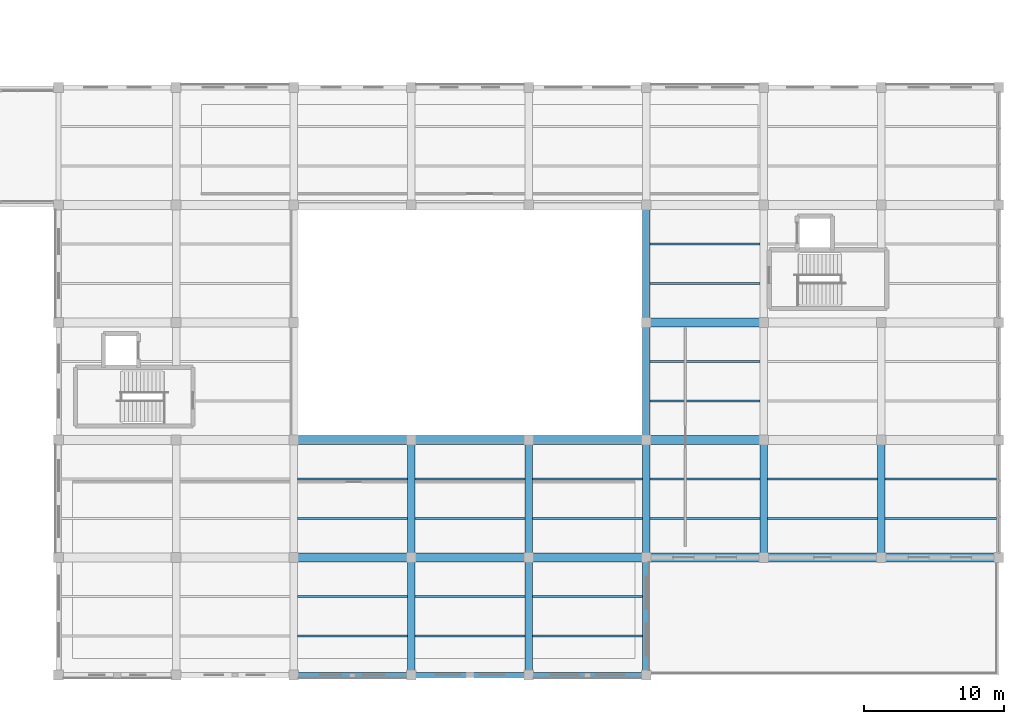
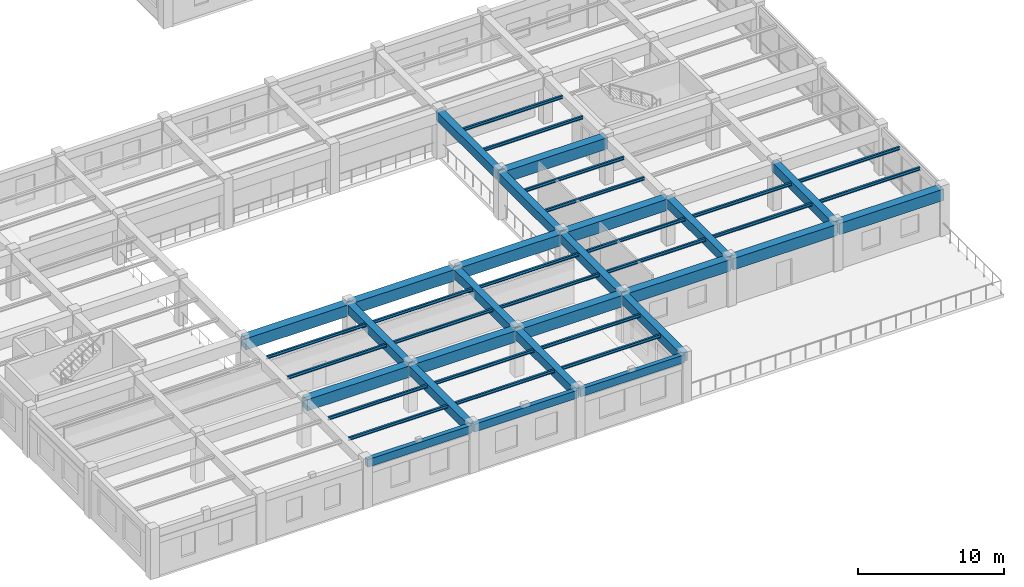
# One storey, part 85 of 152: 46 beams.
"""IFC4 building model written with IfcOpenShell, lengths in metres."""

from ifc_helpers import new_model, si_unit, direction, frame, origin, origin_2d, place, context, subcontext, project, spatial, rectangle, i_section, extrude, material, material_profile, profile_set, type_object, element, save


model = new_model("IFC4")

# Units and contexts
model_context = context("Model", 3, precision=1e-05, world=origin(), true_north=direction((0.0, 1.0)))
body_context = subcontext(model_context, "Body", "Model", "MODEL_VIEW")
ifc_project = project(units=[si_unit("LENGTHUNIT", "METRE"), si_unit("AREAUNIT", "SQUARE_METRE"), si_unit("VOLUMEUNIT", "CUBIC_METRE"), si_unit("PLANEANGLEUNIT", "RADIAN"), si_unit("MASSUNIT", "GRAM", prefix="KILO"), si_unit("THERMODYNAMICTEMPERATUREUNIT", "KELVIN"), si_unit("POWERUNIT", "WATT")], contexts=[model_context])

# Site, building, storey
site_placement = place(None, origin())
site = spatial("IfcSite", under=ifc_project, at=site_placement, CompositionType="ELEMENT")
building_placement = place(site_placement, origin())
building = spatial("IfcBuilding", under=site, at=building_placement, Name="Darbajah Civic Hall", CompositionType="ELEMENT")
storey_placement = place(building_placement, frame((0.0, 0.0, 5.39990234375)))
storey = spatial("IfcBuildingStorey", under=building, at=storey_placement, Name="L01", CompositionType="ELEMENT", Elevation=5.39990234375)

# Beams
ifc_material_1 = material(Name="Concrete C45/55", Category="concrete")
ifc_material_profile_1 = material_profile(ifc_material_1, rectangle(XDim=0.550048828125, YDim=0.75, at=origin_2d()), Name="RC BEAM 550x750")
ifc_profile_set_1 = profile_set([ifc_material_profile_1], Name="Concrete C45/55")
beam_type_1 = type_object("IfcBeamType", Name="RC BEAM 550x750", PredefinedType="BEAM", material=ifc_profile_set_1)
for number, where, z_axis, x_axis, name in (
    (1, (136.199951171875, 0.080078125, 3.525146484375), (0.0, 1.0, 0.0), (-1.0, 0.0, 0.0), "L01 beam BM-5575"),
    (2, (136.199951171875, 8.47998046875, 3.525146484375), (0.0, 1.0, 0.0), (-1.0, 0.0, 0.0), "L01 beam BM-5575"),
    (3, (144.60009765625, 0.080078125, 3.525146484375), (0.0, 1.0, 0.0), (-1.0, 0.0, 0.0), "L01 beam BM-5575"),
    (4, (144.60009765625, 8.47998046875, 3.525146484375), (0.0, 1.0, 0.0), (-1.0, 0.0, 0.0), "L01 beam BM-5575"),
    (5, (153.0, 0.080078125, 3.525146484375), (0.0, 1.0, 0.0), (-1.0, 0.0, 0.0), "L01 beam BM-5575"),
    (6, (153.0, 8.47998046875, 3.525146484375), (0.0, 1.0, 0.0), (-1.0, 0.0, 0.0), "L01 beam BM-5575"),
):
    element("IfcBeam", number, at=place(storey_placement, frame(where, z_axis=z_axis, x_axis=x_axis)), inside=storey, type_object=beam_type_1, Name=name, PredefinedType="BEAM", context=body_context, shape_type="SweptSolid", body=[
        extrude(rectangle(XDim=0.550048828125, YDim=0.75, at=origin_2d()), origin(), (0.0, 0.0, 1.0), 8.239990234375),
    ])
beam_1_placement = place(storey_placement, frame((153.0, 16.8798828125, 3.525146484375), z_axis=(0.0, 1.0, 0.0), x_axis=(-1.0, 0.0, 0.0)))
element("IfcBeam", 7, at=beam_1_placement, inside=storey, type_object=beam_type_1, Name="L01 beam BM-5575", PredefinedType="BEAM", context=body_context, shape_type="SweptSolid", body=[
    extrude(rectangle(XDim=0.550048828125, YDim=0.75, at=origin_2d()), origin(), (0.0, 0.0, 1.0), 8.240234375),
])
for number, where, z_axis, x_axis, name in (
    (8, (153.0, 25.280029296875, 3.525146484375), (0.0, 1.0, 0.0), (-1.0, 0.0, 0.0), "L01 beam BM-5575"),
    (9, (161.39990234375, 8.47998046875, 3.525146484375), (0.0, 1.0, 0.0), (-1.0, 0.0, 0.0), "L01 beam BM-5575"),
    (10, (169.800048828125, 8.47998046875, 3.525146484375), (0.0, 1.0, 0.0), (-1.0, 0.0, 0.0), "L01 beam BM-5575"),
):
    element("IfcBeam", number, at=place(storey_placement, frame(where, z_axis=z_axis, x_axis=x_axis)), inside=storey, type_object=beam_type_1, Name=name, PredefinedType="BEAM", context=body_context, shape_type="SweptSolid", body=[
        extrude(rectangle(XDim=0.550048828125, YDim=0.75, at=origin_2d()), origin(), (0.0, 0.0, 1.0), 8.239990234375),
    ])
ifc_material_2 = material(Name="Concrete C50/60", Category="concrete")
ifc_material_profile_2 = material_profile(ifc_material_2, rectangle(XDim=0.64990234375, YDim=0.949951171875, at=origin_2d()), Name="RC GIRDER 650x950")
ifc_profile_set_2 = profile_set([ifc_material_profile_2], Name="Concrete C50/60")
beam_type_2 = type_object("IfcBeamType", Name="RC GIRDER 650x950", PredefinedType="BEAM", material=ifc_profile_set_2)
beam_2_placement = place(storey_placement, frame((127.8798828125, 8.39990234375, 3.425048828125), z_axis=(1.0, 0.0, 0.0), x_axis=(0.0, 1.0, 0.0)))
element("IfcBeam", 11, at=beam_2_placement, inside=storey, type_object=beam_type_2, Name="L01 beam BG-6595", PredefinedType="BEAM", context=body_context, shape_type="SweptSolid", body=[
    extrude(rectangle(XDim=0.64990234375, YDim=0.949951171875, at=origin_2d()), origin(), (0.0, 0.0, 1.0), 8.240234375),
])
for number, where, z_axis, x_axis, name in (
    (12, (136.280029296875, 8.39990234375, 3.425048828125), (1.0, 0.0, 0.0), (0.0, 1.0, 0.0), "L01 beam BG-6595"),
    (13, (144.679931640625, 8.39990234375, 3.425048828125), (1.0, 0.0, 0.0), (0.0, 1.0, 0.0), "L01 beam BG-6595"),
    (14, (153.080078125, 8.39990234375, 3.425048828125), (1.0, 0.0, 0.0), (0.0, 1.0, 0.0), "L01 beam BG-6595"),
    (15, (161.47998046875, 8.39990234375, 3.425048828125), (1.0, 0.0, 0.0), (0.0, 1.0, 0.0), "L01 beam BG-6595"),
):
    element("IfcBeam", number, at=place(storey_placement, frame(where, z_axis=z_axis, x_axis=x_axis)), inside=storey, type_object=beam_type_2, Name=name, PredefinedType="BEAM", context=body_context, shape_type="SweptSolid", body=[
        extrude(rectangle(XDim=0.64990234375, YDim=0.949951171875, at=origin_2d()), origin(), (0.0, 0.0, 1.0), 8.239990234375),
    ])
for number, where, z_axis, x_axis, name in (
    (16, (169.8798828125, 8.39990234375, 3.425048828125), (1.0, 0.0, 0.0), (0.0, 1.0, 0.0), "L01 beam BG-6595"),
    (17, (127.8798828125, 16.800048828125, 3.425048828125), (1.0, 0.0, 0.0), (0.0, 1.0, 0.0), "L01 beam BG-6595"),
):
    element("IfcBeam", number, at=place(storey_placement, frame(where, z_axis=z_axis, x_axis=x_axis)), inside=storey, type_object=beam_type_2, Name=name, PredefinedType="BEAM", context=body_context, shape_type="SweptSolid", body=[
        extrude(rectangle(XDim=0.64990234375, YDim=0.949951171875, at=origin_2d()), origin(), (0.0, 0.0, 1.0), 8.240234375),
    ])
for number, where, z_axis, x_axis, name in (
    (18, (136.280029296875, 16.800048828125, 3.425048828125), (1.0, 0.0, 0.0), (0.0, 1.0, 0.0), "L01 beam BG-6595"),
    (19, (144.679931640625, 16.800048828125, 3.425048828125), (1.0, 0.0, 0.0), (0.0, 1.0, 0.0), "L01 beam BG-6595"),
    (20, (153.080078125, 16.800048828125, 3.425048828125), (1.0, 0.0, 0.0), (0.0, 1.0, 0.0), "L01 beam BG-6595"),
    (21, (153.080078125, 25.199951171875, 3.425048828125), (1.0, 0.0, 0.0), (0.0, 1.0, 0.0), "L01 beam BG-6595"),
):
    element("IfcBeam", number, at=place(storey_placement, frame(where, z_axis=z_axis, x_axis=x_axis)), inside=storey, type_object=beam_type_2, Name=name, PredefinedType="BEAM", context=body_context, shape_type="SweptSolid", body=[
        extrude(rectangle(XDim=0.64990234375, YDim=0.949951171875, at=origin_2d()), origin(), (0.0, 0.0, 1.0), 8.239990234375),
    ])
ifc_material_profile_3 = material_profile(ifc_material_1, rectangle(XDim=0.35009765625, YDim=0.64990234375, at=origin_2d()), Name="RC SPANDREL 350x650")
ifc_profile_set_3 = profile_set([ifc_material_profile_3], Name="Concrete C45/55")
beam_type_3 = type_object("IfcBeamType", Name="RC SPANDREL 350x650", PredefinedType="SPANDREL", material=ifc_profile_set_3)
beam_3_placement = place(storey_placement, frame((127.8798828125, 0.0, 3.5751953125), z_axis=(1.0, 0.0, 0.0), x_axis=(0.0, 1.0, 0.0)))
element("IfcBeam", 22, at=beam_3_placement, inside=storey, type_object=beam_type_3, Name="L01 beam SP-3565", PredefinedType="SPANDREL", context=body_context, shape_type="SweptSolid", body=[
    extrude(rectangle(XDim=0.35009765625, YDim=0.64990234375, at=origin_2d()), origin(), (0.0, 0.0, 1.0), 8.240234375),
])
for number, where, z_axis, x_axis, name in (
    (23, (136.280029296875, 0.0, 3.5751953125), (1.0, 0.0, 0.0), (0.0, 1.0, 0.0), "L01 beam SP-3565"),
    (24, (144.679931640625, 0.0, 3.5751953125), (1.0, 0.0, 0.0), (0.0, 1.0, 0.0), "L01 beam SP-3565"),
):
    element("IfcBeam", number, at=place(storey_placement, frame(where, z_axis=z_axis, x_axis=x_axis)), inside=storey, type_object=beam_type_3, Name=name, PredefinedType="SPANDREL", context=body_context, shape_type="SweptSolid", body=[
        extrude(rectangle(XDim=0.35009765625, YDim=0.64990234375, at=origin_2d()), origin(), (0.0, 0.0, 1.0), 8.239990234375),
    ])
ifc_material_3 = material(Name="Steel S355JR", Category="steel")
ifc_material_profile_4 = material_profile(ifc_material_3, i_section(OverallWidth=0.146484375, OverallDepth=0.256103515625, WebThickness=0.00634765625, FlangeThickness=0.010986328125, FilletRadius=0.007568359375, at=origin_2d()), Name="UB 254x146x37")
ifc_profile_set_4 = profile_set([ifc_material_profile_4], Name="Steel S355JR")
beam_type_4 = type_object("IfcBeamType", Name="UB 254x146x37", PredefinedType="JOIST", material=ifc_profile_set_4)
for number, where, z_axis, x_axis, name in (
    (25, (128.074951171875, 2.800048828125, 3.772216796875), (1.0, 0.0, 0.0), (0.0, 1.0, 0.0), "L01 beam SJ-254"),
    (26, (128.074951171875, 5.60009765625, 3.772216796875), (1.0, 0.0, 0.0), (0.0, 1.0, 0.0), "L01 beam SJ-254"),
    (27, (128.074951171875, 11.199951171875, 3.772216796875), (1.0, 0.0, 0.0), (0.0, 1.0, 0.0), "L01 beam SJ-254"),
    (28, (128.074951171875, 14.0, 3.772216796875), (1.0, 0.0, 0.0), (0.0, 1.0, 0.0), "L01 beam SJ-254"),
):
    element("IfcBeam", number, at=place(storey_placement, frame(where, z_axis=z_axis, x_axis=x_axis)), inside=storey, type_object=beam_type_4, Name=name, PredefinedType="JOIST", context=body_context, shape_type="SweptSolid", body=[
        extrude(i_section(OverallWidth=0.146484375, OverallDepth=0.256103515625, WebThickness=0.00634765625, FlangeThickness=0.010986328125, FilletRadius=0.007568359375, at=origin_2d()), origin(), (0.0, 0.0, 1.0), 7.85009765625),
    ])
for number, where, z_axis, x_axis, name in (
    (29, (136.47509765625, 2.800048828125, 3.772216796875), (1.0, 0.0, 0.0), (0.0, 1.0, 0.0), "L01 beam SJ-254"),
    (30, (136.47509765625, 5.60009765625, 3.772216796875), (1.0, 0.0, 0.0), (0.0, 1.0, 0.0), "L01 beam SJ-254"),
    (31, (136.47509765625, 11.199951171875, 3.772216796875), (1.0, 0.0, 0.0), (0.0, 1.0, 0.0), "L01 beam SJ-254"),
    (32, (136.47509765625, 14.0, 3.772216796875), (1.0, 0.0, 0.0), (0.0, 1.0, 0.0), "L01 beam SJ-254"),
):
    element("IfcBeam", number, at=place(storey_placement, frame(where, z_axis=z_axis, x_axis=x_axis)), inside=storey, type_object=beam_type_4, Name=name, PredefinedType="JOIST", context=body_context, shape_type="SweptSolid", body=[
        extrude(i_section(OverallWidth=0.146484375, OverallDepth=0.256103515625, WebThickness=0.00634765625, FlangeThickness=0.010986328125, FilletRadius=0.007568359375, at=origin_2d()), origin(), (0.0, 0.0, 1.0), 7.849853515625),
    ])
for number, where, z_axis, x_axis, name in (
    (33, (144.875, 2.800048828125, 3.772216796875), (1.0, 0.0, 0.0), (0.0, 1.0, 0.0), "L01 beam SJ-254"),
    (34, (144.875, 5.60009765625, 3.772216796875), (1.0, 0.0, 0.0), (0.0, 1.0, 0.0), "L01 beam SJ-254"),
    (35, (144.875, 11.199951171875, 3.772216796875), (1.0, 0.0, 0.0), (0.0, 1.0, 0.0), "L01 beam SJ-254"),
    (36, (144.875, 14.0, 3.772216796875), (1.0, 0.0, 0.0), (0.0, 1.0, 0.0), "L01 beam SJ-254"),
    (37, (153.27490234375, 11.199951171875, 3.772216796875), (1.0, 0.0, 0.0), (0.0, 1.0, 0.0), "L01 beam SJ-254"),
    (38, (153.27490234375, 14.0, 3.772216796875), (1.0, 0.0, 0.0), (0.0, 1.0, 0.0), "L01 beam SJ-254"),
    (39, (153.27490234375, 19.60009765625, 3.772216796875), (1.0, 0.0, 0.0), (0.0, 1.0, 0.0), "L01 beam SJ-254"),
    (40, (153.27490234375, 22.39990234375, 3.772216796875), (1.0, 0.0, 0.0), (0.0, 1.0, 0.0), "L01 beam SJ-254"),
    (41, (153.27490234375, 28.0, 3.772216796875), (1.0, 0.0, 0.0), (0.0, 1.0, 0.0), "L01 beam SJ-254"),
    (42, (153.27490234375, 30.800048828125, 3.772216796875), (1.0, 0.0, 0.0), (0.0, 1.0, 0.0), "L01 beam SJ-254"),
):
    element("IfcBeam", number, at=place(storey_placement, frame(where, z_axis=z_axis, x_axis=x_axis)), inside=storey, type_object=beam_type_4, Name=name, PredefinedType="JOIST", context=body_context, shape_type="SweptSolid", body=[
        extrude(i_section(OverallWidth=0.146484375, OverallDepth=0.256103515625, WebThickness=0.00634765625, FlangeThickness=0.010986328125, FilletRadius=0.007568359375, at=origin_2d()), origin(), (0.0, 0.0, 1.0), 7.85009765625),
    ])
for number, where, z_axis, x_axis, name in (
    (43, (161.675048828125, 11.199951171875, 3.772216796875), (1.0, 0.0, 0.0), (0.0, 1.0, 0.0), "L01 beam SJ-254"),
    (44, (161.675048828125, 14.0, 3.772216796875), (1.0, 0.0, 0.0), (0.0, 1.0, 0.0), "L01 beam SJ-254"),
):
    element("IfcBeam", number, at=place(storey_placement, frame(where, z_axis=z_axis, x_axis=x_axis)), inside=storey, type_object=beam_type_4, Name=name, PredefinedType="JOIST", context=body_context, shape_type="SweptSolid", body=[
        extrude(i_section(OverallWidth=0.146484375, OverallDepth=0.256103515625, WebThickness=0.00634765625, FlangeThickness=0.010986328125, FilletRadius=0.007568359375, at=origin_2d()), origin(), (0.0, 0.0, 1.0), 7.849853515625),
    ])
for number, where, z_axis, x_axis, name in (
    (45, (170.074951171875, 11.199951171875, 3.772216796875), (1.0, 0.0, 0.0), (0.0, 1.0, 0.0), "L01 beam SJ-254"),
    (46, (170.074951171875, 14.0, 3.772216796875), (1.0, 0.0, 0.0), (0.0, 1.0, 0.0), "L01 beam SJ-254"),
):
    element("IfcBeam", number, at=place(storey_placement, frame(where, z_axis=z_axis, x_axis=x_axis)), inside=storey, type_object=beam_type_4, Name=name, PredefinedType="JOIST", context=body_context, shape_type="SweptSolid", body=[
        extrude(i_section(OverallWidth=0.146484375, OverallDepth=0.256103515625, WebThickness=0.00634765625, FlangeThickness=0.010986328125, FilletRadius=0.007568359375, at=origin_2d()), origin(), (0.0, 0.0, 1.0), 7.949951171875),
    ])

save(model, "model.ifc")
